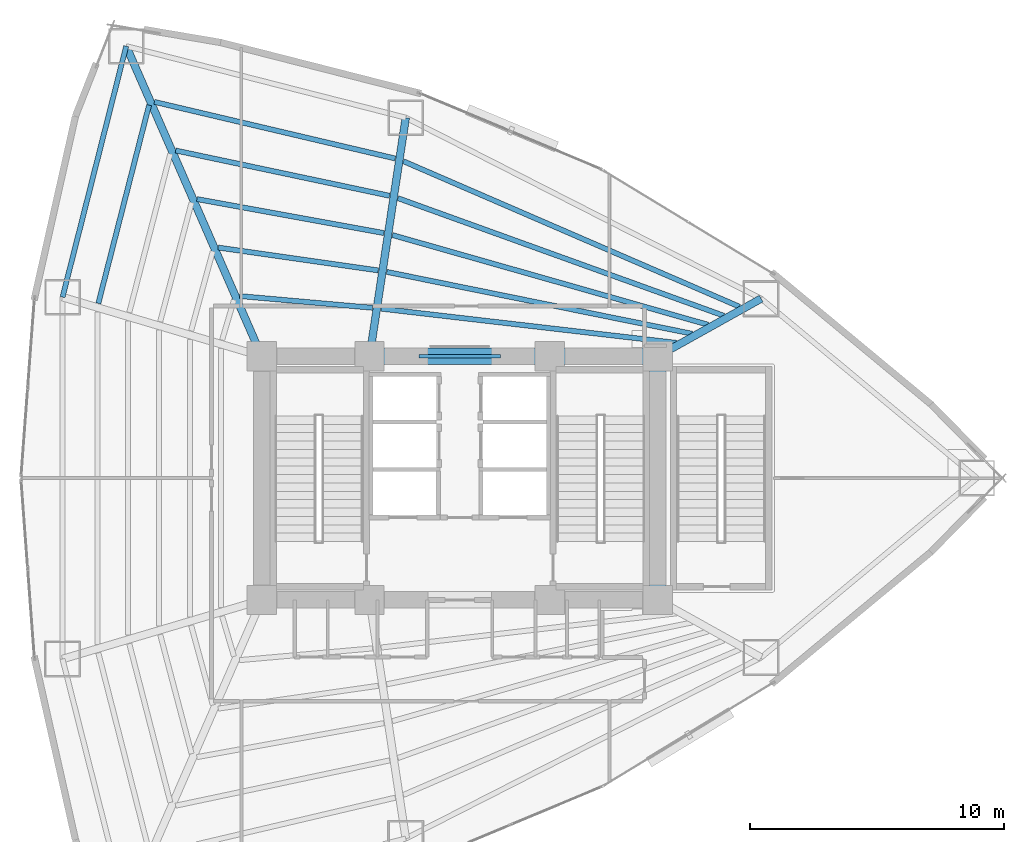
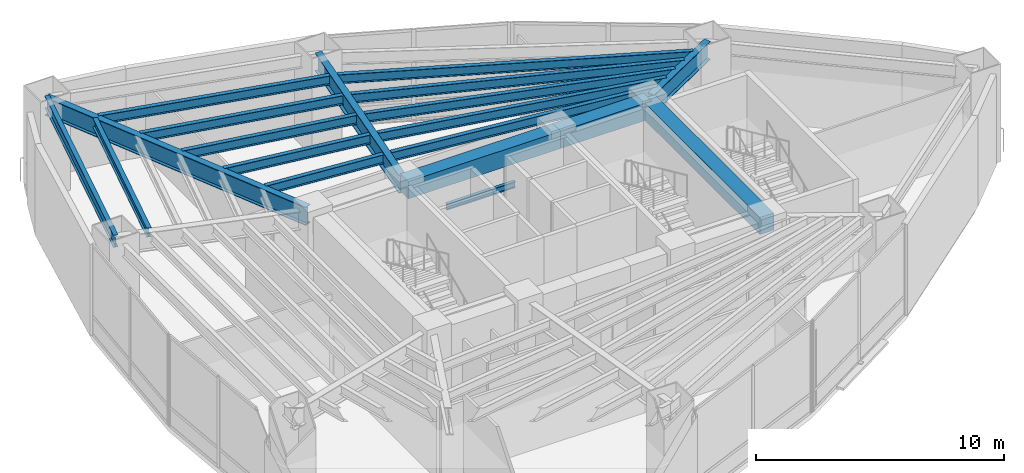
# One storey, part 9 of 18: 19 beams.
"""IFC4 building model written with IfcOpenShell, lengths in metres."""

from ifc_helpers import new_model, si_unit, direction, frame, origin, origin_2d, place, context, subcontext, project, spatial, rectangle, i_section, extrude, material, material_profile, profile_set, type_object, element, save


model = new_model("IFC4")

# Units and contexts
model_context = context("Model", 3, precision=1e-05, world=origin(), true_north=direction((0.0, 1.0)))
body_context = subcontext(model_context, "Body", "Model", "MODEL_VIEW")
ifc_project = project(units=[si_unit("LENGTHUNIT", "METRE"), si_unit("AREAUNIT", "SQUARE_METRE"), si_unit("VOLUMEUNIT", "CUBIC_METRE"), si_unit("PLANEANGLEUNIT", "RADIAN"), si_unit("MASSUNIT", "GRAM", prefix="KILO")], contexts=[model_context])

# Site, building, storey
site_placement = place(None, origin())
site = spatial("IfcSite", under=ifc_project, at=site_placement, CompositionType="ELEMENT")
building_placement = place(site_placement, origin())
building = spatial("IfcBuilding", under=site, at=building_placement, Name="Menara Vayukalpa", CompositionType="ELEMENT")
storey_placement = place(building_placement, frame((0.0, 0.0, 7.199951171875)))
storey = spatial("IfcBuildingStorey", under=building, at=storey_placement, Name="L01", CompositionType="ELEMENT", Elevation=7.199951171875)

# Beams
ifc_material_1 = material(Name="Concrete C60/75", Category="concrete")
ifc_material_profile_1 = material_profile(ifc_material_1, rectangle(XDim=0.64990234375, YDim=0.85009765625, at=origin_2d()), Name="RC 650x850")
ifc_profile_set_1 = profile_set([ifc_material_profile_1], Name="Concrete C60/75")
beam_type_1 = type_object("IfcBeamType", Name="BM-CB1", PredefinedType="BEAM", material=ifc_profile_set_1)
beam_1_placement = place(storey_placement, frame((22.050048828125, 26.800048828125, 4.054931640625), z_axis=(1.0, 0.0, 0.0), x_axis=(0.0, 1.0, 0.0)))
element("IfcBeam", 1, at=beam_1_placement, inside=storey, type_object=beam_type_1, Name="L01 Core Tie Beam CBR5", PredefinedType="BEAM", context=body_context, shape_type="SweptSolid", body=[
    extrude(rectangle(XDim=0.64990234375, YDim=0.85009765625, at=origin_2d()), origin(), (0.0, 0.0, 1.0), 7.099853515625),
])
beam_2_placement = place(storey_placement, frame((29.14990234375, 26.800048828125, 4.054931640625), z_axis=(1.0, 0.0, 0.0), x_axis=(0.0, 1.0, 0.0)))
element("IfcBeam", 2, at=beam_2_placement, inside=storey, type_object=beam_type_1, Name="L01 Core Tie Beam CBR6", PredefinedType="BEAM", context=body_context, shape_type="SweptSolid", body=[
    extrude(rectangle(XDim=0.64990234375, YDim=0.85009765625, at=origin_2d()), origin(), (0.0, 0.0, 1.0), 4.25),
])
beam_3_placement = place(storey_placement, frame((33.39990234375, 17.199951171875, 4.054931640625), z_axis=(0.0, 1.0, 0.0), x_axis=(-1.0, 0.0, 0.0)))
element("IfcBeam", 3, at=beam_3_placement, inside=storey, type_object=beam_type_1, Name="L01 Core Tie Beam CBR8", PredefinedType="BEAM", context=body_context, shape_type="SweptSolid", body=[
    extrude(rectangle(XDim=0.64990234375, YDim=0.85009765625, at=origin_2d()), origin(), (0.0, 0.0, 1.0), 9.60009765625),
])
ifc_material_2 = material(Name="Steel S355", Category="steel")
ifc_material_profile_2 = material_profile(ifc_material_2, i_section(OverallWidth=0.14990234375, OverallDepth=0.300048828125, WebThickness=0.006591796875, FlangeThickness=0.009033203125, at=origin_2d()), Name="WF 300x150x6.5x9")
ifc_profile_set_2 = profile_set([ifc_material_profile_2], Name="Steel S355")
beam_type_2 = type_object("IfcBeamType", Name="BM-LN1", PredefinedType="LINTEL", material=ifc_profile_set_2)
beam_4_placement = place(storey_placement, frame((24.0, 26.800048828125, 2.380126953125), z_axis=(1.0, 0.0, 0.0), x_axis=(0.0, 1.0, 0.0)))
element("IfcBeam", 4, at=beam_4_placement, inside=storey, type_object=beam_type_2, Name="L01 North Core Steel Lintel LN1", PredefinedType="LINTEL", context=body_context, shape_type="SweptSolid", body=[
    extrude(i_section(OverallWidth=0.14990234375, OverallDepth=0.300048828125, WebThickness=0.006591796875, FlangeThickness=0.009033203125, at=origin_2d()), origin(), (0.0, 0.0, 1.0), 3.199951171875),
])
ifc_material_3 = material(Name="Steel S355", Category="steel")
ifc_material_profile_3 = material_profile(ifc_material_3, i_section(OverallWidth=0.300048828125, OverallDepth=0.89990234375, WebThickness=0.01611328125, FlangeThickness=0.028076171875, at=origin_2d()), Name="WF 900x300x16x28")
ifc_profile_set_3 = profile_set([ifc_material_profile_3], Name="Steel S355")
beam_type_3 = type_object("IfcBeamType", Name="BM-PG1", PredefinedType="BEAM", material=ifc_profile_set_3)
beam_5_placement = place(storey_placement, frame((33.618408203125, 26.921630859375, 4.030029296875), z_axis=(0.873472891879, 0.486872783335, 0.0), x_axis=(-0.486872783335, 0.873472891879, 0.0)))
element("IfcBeam", 5, at=beam_5_placement, inside=storey, type_object=beam_type_3, Name="L01 Primary Radial Girder RG02", PredefinedType="BEAM", context=body_context, shape_type="SweptSolid", body=[
    extrude(i_section(OverallWidth=0.300048828125, OverallDepth=0.89990234375, WebThickness=0.01611328125, FlangeThickness=0.028076171875, at=origin_2d()), origin(), (0.0, 0.0, 1.0), 4.414306640625),
])
beam_6_placement = place(storey_placement, frame((22.08740234375, 27.047119140625, 4.030029296875), z_axis=(0.149956157605, 0.988692647285, 0.0), x_axis=(-0.988692647285, 0.149956157605, 0.0)))
element("IfcBeam", 6, at=beam_6_placement, inside=storey, type_object=beam_type_3, Name="L01 Primary Radial Girder RG03", PredefinedType="BEAM", context=body_context, shape_type="SweptSolid", body=[
    extrude(i_section(OverallWidth=0.300048828125, OverallDepth=0.89990234375, WebThickness=0.01611328125, FlangeThickness=0.028076171875, at=origin_2d()), origin(), (0.0, 0.0, 1.0), 9.25732421875),
])
beam_7_placement = place(storey_placement, frame((17.699951171875, 27.029052734375, 4.030029296875), z_axis=(-0.400426299501, 0.916328968585, 0.0), x_axis=(-0.916328968585, -0.400426299501, 0.0)))
element("IfcBeam", 7, at=beam_7_placement, inside=storey, type_object=beam_type_3, Name="L01 Primary Radial Girder RG04", PredefinedType="BEAM", context=body_context, shape_type="SweptSolid", body=[
    extrude(i_section(OverallWidth=0.300048828125, OverallDepth=0.89990234375, WebThickness=0.01611328125, FlangeThickness=0.028076171875, at=origin_2d()), origin(), (0.0, 0.0, 1.0), 13.084716796875),
])
ifc_material_4 = material(Name="Steel S355", Category="steel")
ifc_material_profile_4 = material_profile(ifc_material_4, i_section(OverallWidth=0.199951171875, OverallDepth=0.449951171875, WebThickness=0.009033203125, FlangeThickness=0.013916015625, at=origin_2d()), Name="WF 450x200x9x14")
ifc_profile_set_4 = profile_set([ifc_material_profile_4], Name="Steel S355")
beam_type_4 = type_object("IfcBeamType", Name="BM-SJ1", PredefinedType="JOIST", material=ifc_profile_set_4)
beam_8_placement = place(storey_placement, frame((34.1435546875, 27.328125, 4.255126953125), z_axis=(-0.993368624996, 0.114972931045, 0.0), x_axis=(-0.114972931045, -0.993368624996, 0.0)))
element("IfcBeam", 8, at=beam_8_placement, inside=storey, type_object=beam_type_4, Name="L01 Secondary Floor Joist SJ02-1", PredefinedType="JOIST", context=body_context, shape_type="SweptSolid", body=[
    extrude(i_section(OverallWidth=0.199951171875, OverallDepth=0.449951171875, WebThickness=0.009033203125, FlangeThickness=0.013916015625, at=origin_2d()), origin(), (0.0, 0.0, 1.0), 11.715087890625),
])
beam_9_placement = place(storey_placement, frame((34.7626953125, 27.686279296875, 4.255126953125), z_axis=(-0.980082096832, 0.198592757847, 0.0), x_axis=(-0.198592757847, -0.980082096832, 0.0)))
element("IfcBeam", 9, at=beam_9_placement, inside=storey, type_object=beam_type_4, Name="L01 Secondary Floor Joist SJ02-2", PredefinedType="JOIST", context=body_context, shape_type="SweptSolid", body=[
    extrude(i_section(OverallWidth=0.199951171875, OverallDepth=0.449951171875, WebThickness=0.009033203125, FlangeThickness=0.013916015625, at=origin_2d()), origin(), (0.0, 0.0, 1.0), 12.28125),
])
beam_10_placement = place(storey_placement, frame((35.3828125, 28.042724609375, 4.255126953125), z_axis=(-0.961920522013, 0.273329305656, 0.0), x_axis=(-0.273329305656, -0.961920522013, 0.0)))
element("IfcBeam", 10, at=beam_10_placement, inside=storey, type_object=beam_type_4, Name="L01 Secondary Floor Joist SJ02-3", PredefinedType="JOIST", context=body_context, shape_type="SweptSolid", body=[
    extrude(i_section(OverallWidth=0.199951171875, OverallDepth=0.449951171875, WebThickness=0.009033203125, FlangeThickness=0.013916015625, at=origin_2d()), origin(), (0.0, 0.0, 1.0), 12.93017578125),
])
beam_11_placement = place(storey_placement, frame((36.003173828125, 28.39794921875, 4.255126953125), z_axis=(-0.94065210614, 0.339372384284, 0.0), x_axis=(-0.339372384284, -0.94065210614, 0.0)))
element("IfcBeam", 11, at=beam_11_placement, inside=storey, type_object=beam_type_4, Name="L01 Secondary Floor Joist SJ02-4", PredefinedType="JOIST", context=body_context, shape_type="SweptSolid", body=[
    extrude(i_section(OverallWidth=0.199951171875, OverallDepth=0.449951171875, WebThickness=0.009033203125, FlangeThickness=0.013916015625, at=origin_2d()), origin(), (0.0, 0.0, 1.0), 13.649658203125),
])
beam_12_placement = place(storey_placement, frame((36.6240234375, 28.751708984375, 4.255126953125), z_axis=(-0.91768786967, 0.397302119125, 0.0), x_axis=(-0.397302119125, -0.91768786967, 0.0)))
element("IfcBeam", 12, at=beam_12_placement, inside=storey, type_object=beam_type_4, Name="L01 Secondary Floor Joist SJ02-5", PredefinedType="JOIST", context=body_context, shape_type="SweptSolid", body=[
    extrude(i_section(OverallWidth=0.199951171875, OverallDepth=0.449951171875, WebThickness=0.009033203125, FlangeThickness=0.013916015625, at=origin_2d()), origin(), (0.0, 0.0, 1.0), 14.43017578125),
])
beam_13_placement = place(storey_placement, frame((22.16796875, 28.709716796875, 4.255126953125), z_axis=(-0.996127818773, 0.08791682812, 0.0), x_axis=(-0.08791682812, -0.996127818773, 0.0)))
element("IfcBeam", 13, at=beam_13_placement, inside=storey, type_object=beam_type_4, Name="L01 Secondary Floor Joist SJ03-1", PredefinedType="JOIST", context=body_context, shape_type="SweptSolid", body=[
    extrude(i_section(OverallWidth=0.199951171875, OverallDepth=0.449951171875, WebThickness=0.009033203125, FlangeThickness=0.013916015625, at=origin_2d()), origin(), (0.0, 0.0, 1.0), 5.26220703125),
])
beam_14_placement = place(storey_placement, frame((22.39111328125, 30.18310546875, 4.255126953125), z_axis=(-0.989991622628, 0.141126139063, 0.0), x_axis=(-0.141126139063, -0.989991622628, 0.0)))
element("IfcBeam", 14, at=beam_14_placement, inside=storey, type_object=beam_type_4, Name="L01 Secondary Floor Joist SJ03-2", PredefinedType="JOIST", context=body_context, shape_type="SweptSolid", body=[
    extrude(i_section(OverallWidth=0.199951171875, OverallDepth=0.449951171875, WebThickness=0.009033203125, FlangeThickness=0.013916015625, at=origin_2d()), origin(), (0.0, 0.0, 1.0), 6.367919921875),
])
beam_15_placement = place(storey_placement, frame((22.6142578125, 31.65380859375, 4.255126953125), z_axis=(-0.98386051846, 0.178937084517, 0.0), x_axis=(-0.178937084517, -0.98386051846, 0.0)))
element("IfcBeam", 15, at=beam_15_placement, inside=storey, type_object=beam_type_4, Name="L01 Secondary Floor Joist SJ03-3", PredefinedType="JOIST", context=body_context, shape_type="SweptSolid", body=[
    extrude(i_section(OverallWidth=0.199951171875, OverallDepth=0.449951171875, WebThickness=0.009033203125, FlangeThickness=0.013916015625, at=origin_2d()), origin(), (0.0, 0.0, 1.0), 7.48779296875),
])
beam_16_placement = place(storey_placement, frame((22.83740234375, 33.123046875, 4.255126953125), z_axis=(-0.978324318859, 0.207078553039, 0.0), x_axis=(-0.207078553039, -0.978324318859, 0.0)))
element("IfcBeam", 16, at=beam_16_placement, inside=storey, type_object=beam_type_4, Name="L01 Secondary Floor Joist SJ03-4", PredefinedType="JOIST", context=body_context, shape_type="SweptSolid", body=[
    extrude(i_section(OverallWidth=0.199951171875, OverallDepth=0.449951171875, WebThickness=0.009033203125, FlangeThickness=0.013916015625, at=origin_2d()), origin(), (0.0, 0.0, 1.0), 8.615966796875),
])
beam_17_placement = place(storey_placement, frame((23.060302734375, 34.59130859375, 4.255126953125), z_axis=(-0.973474607698, 0.228795078983, 0.0), x_axis=(-0.228795078983, -0.973474607698, 0.0)))
element("IfcBeam", 17, at=beam_17_placement, inside=storey, type_object=beam_type_4, Name="L01 Secondary Floor Joist SJ03-5", PredefinedType="JOIST", context=body_context, shape_type="SweptSolid", body=[
    extrude(i_section(OverallWidth=0.199951171875, OverallDepth=0.449951171875, WebThickness=0.009033203125, FlangeThickness=0.013916015625, at=origin_2d()), origin(), (0.0, 0.0, 1.0), 9.749755859375),
])
beam_18_placement = place(storey_placement, frame((13.361328125, 36.696044921875, 4.255126953125), z_axis=(-0.247855728428, -0.9687969539, 0.0), x_axis=(0.9687969539, -0.247855728428, 0.0)))
element("IfcBeam", 18, at=beam_18_placement, inside=storey, type_object=beam_type_4, Name="L01 Secondary Floor Joist SJ04-5", PredefinedType="JOIST", context=body_context, shape_type="SweptSolid", body=[
    extrude(i_section(OverallWidth=0.199951171875, OverallDepth=0.449951171875, WebThickness=0.009033203125, FlangeThickness=0.013916015625, at=origin_2d()), origin(), (0.0, 0.0, 1.0), 8.060302734375),
])
ifc_material_5 = material(Name="Steel S355", Category="steel")
ifc_material_profile_5 = material_profile(ifc_material_5, i_section(OverallWidth=0.199951171875, OverallDepth=0.60009765625, WebThickness=0.010986328125, FlangeThickness=0.01708984375, at=origin_2d()), Name="WF 600x200x11x17")
ifc_profile_set_5 = profile_set([ifc_material_profile_5], Name="Steel S355")
beam_type_5 = type_object("IfcBeamType", Name="BM-SP1", PredefinedType="SPANDREL", material=ifc_profile_set_5)
beam_19_placement = place(storey_placement, frame((12.46044921875, 39.01904296875, 4.179931640625), z_axis=(-0.24585591488, -0.969306385576, 0.0), x_axis=(0.969306385576, -0.24585591488, 0.0)))
element("IfcBeam", 19, at=beam_19_placement, inside=storey, type_object=beam_type_5, Name="L01 Perimeter Spandrel Beam SP04", PredefinedType="SPANDREL", context=body_context, shape_type="SweptSolid", body=[
    extrude(i_section(OverallWidth=0.199951171875, OverallDepth=0.60009765625, WebThickness=0.010986328125, FlangeThickness=0.01708984375, at=origin_2d()), origin(), (0.0, 0.0, 1.0), 10.203369140625),
])

save(model, "model.ifc")
